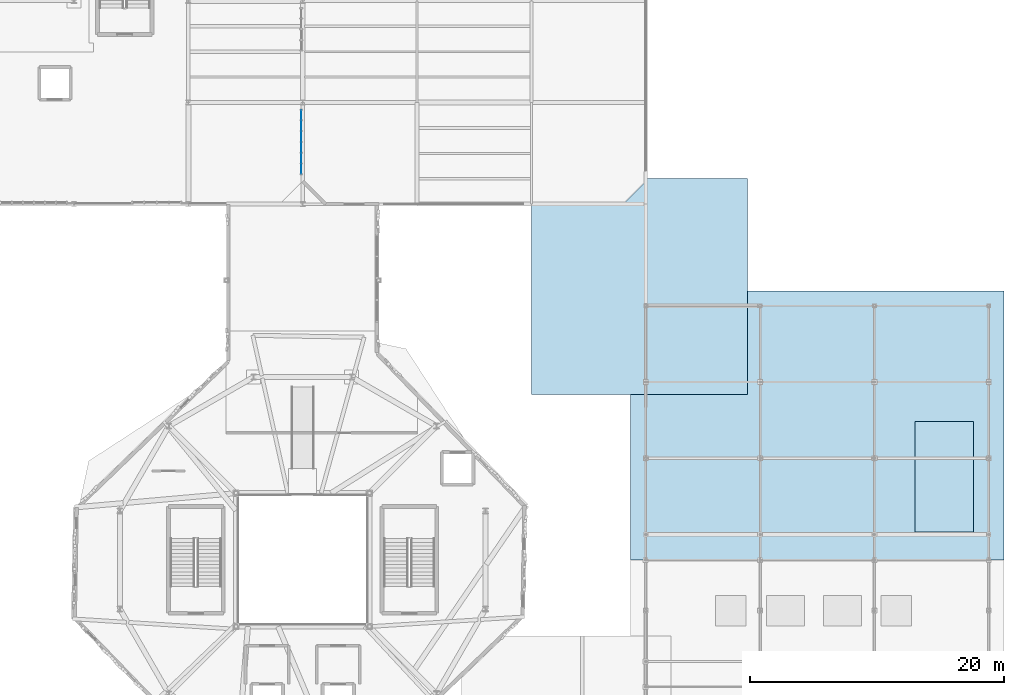
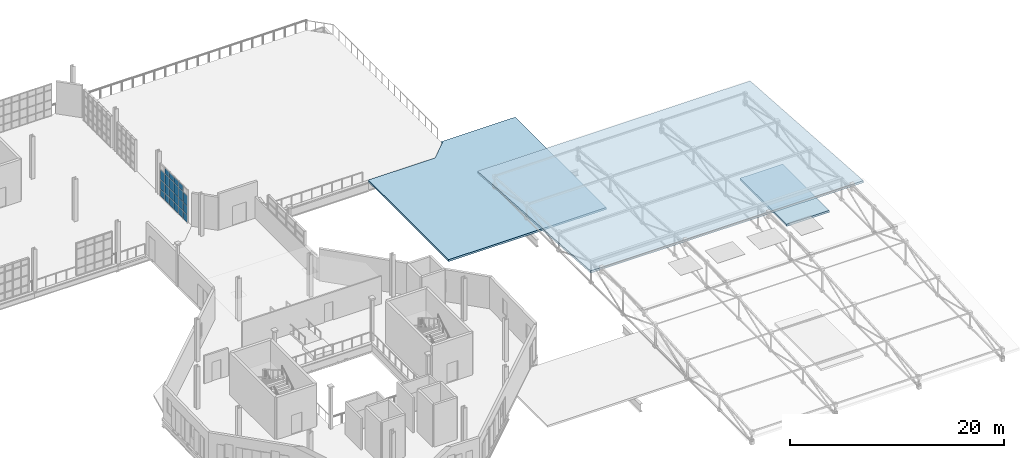
# One storey, part 70 of 85: 22 plates, 3 slabs, 1 element without a shape of its own.
"""IFC4 building model written with IfcOpenShell, lengths in metres."""

from ifc_helpers import new_model, si_unit, direction, frame, origin, origin_2d, place, context, subcontext, project, spatial, polyline, rectangle, outline, extrude, material, layer, layer_set, type_object, element, aggregate, save


model = new_model("IFC4")

# Units and contexts
model_context = context("Model", 3, precision=1e-05, world=origin(), true_north=direction((0.0, 1.0)))
body_context = subcontext(model_context, "Body", "Model", "MODEL_VIEW")
ifc_project = project(units=[si_unit("LENGTHUNIT", "METRE"), si_unit("AREAUNIT", "SQUARE_METRE"), si_unit("VOLUMEUNIT", "CUBIC_METRE"), si_unit("PLANEANGLEUNIT", "RADIAN"), si_unit("MASSUNIT", "GRAM", prefix="KILO"), si_unit("THERMODYNAMICTEMPERATUREUNIT", "KELVIN"), si_unit("POWERUNIT", "WATT")], contexts=[model_context])

# Site, building, storey
site_placement = place(None, origin())
site = spatial("IfcSite", under=ifc_project, at=site_placement, CompositionType="ELEMENT")
building_placement = place(site_placement, origin())
building = spatial("IfcBuilding", under=site, at=building_placement, Name="Zelmaris Science Centre", CompositionType="ELEMENT")
storey_placement = place(building_placement, frame((0.0, 0.0, 20.39990234375)))
storey = spatial("IfcBuildingStorey", under=building, at=storey_placement, Name="L04", CompositionType="ELEMENT", Elevation=20.39990234375)

# Curtain wall, plates
ifc_material_1 = material(Name="Anodised architectural aluminium 6063-T6", Category="aluminium")
ifc_layer_1 = layer(ifc_material_1, 0.219970703125, Name="Anodised architectural aluminium 6063-T6")
ifc_layer_set_1 = layer_set([ifc_layer_1], Name="Anodised architectural aluminium 6063-T6")
curtain_wall_type = type_object("IfcCurtainWallType", Name="Curtain Wall CW-04", PredefinedType="USERDEFINED", material=ifc_layer_set_1)
curtain_wall_placement = place(storey_placement, origin())
curtain_wall = element("IfcCurtainWall", 1, at=curtain_wall_placement, inside=storey, type_object=curtain_wall_type, Name="L04 Unitised curtain wall 348", ObjectType="GLAZED CURTAIN WALL", PredefinedType="USERDEFINED")
ifc_material_2 = material(Name="Laminated hurricane-rated low-E insulated glazing", Category="glass")
ifc_layer_2 = layer(ifc_material_2, 0.02392578125, Name="Laminated hurricane-rated low-E insulated glazing")
ifc_layer_set_2 = layer_set([ifc_layer_2], Name="Laminated hurricane-rated low-E insulated glazing")
plate_type = type_object("IfcPlateType", Name="Curtain Glazing Panel CWP-4 24mm", PredefinedType="CURTAIN_PANEL", material=ifc_layer_set_2)
plate_1_placement = place(storey_placement, frame((80.8916015625, 71.02001953125, 0.037109375), z_axis=(0.0, 0.0, 1.0), x_axis=(0.000780716064, -0.999999695241, 0.0)))
plate_1 = element("IfcPlate", 2, at=plate_1_placement, type_object=plate_type, Name="CW-04 panel 1.1", PredefinedType="CURTAIN_PANEL", context=body_context, shape_type="SweptSolid", body=[
    extrude(rectangle(XDim=0.77587890625, YDim=0.02392578125, at=origin_2d()), origin(), (0.0, 0.0, 1.0), 0.77197265625),
])
plate_2_placement = place(storey_placement, frame((80.8916015625, 71.02001953125, 0.86083984375), z_axis=(0.0, 0.0, 1.0), x_axis=(0.000780716064, -0.999999695241, 0.0)))
plate_2 = element("IfcPlate", 3, at=plate_2_placement, type_object=plate_type, Name="CW-04 panel 1.2", PredefinedType="CURTAIN_PANEL", context=body_context, shape_type="SweptSolid", body=[
    extrude(rectangle(XDim=0.77587890625, YDim=0.02392578125, at=origin_2d()), origin(), (0.0, 0.0, 1.0), 0.986083984375),
])
plate_3_placement = place(storey_placement, frame((80.8916015625, 71.02001953125, 1.89892578125), z_axis=(0.0, 0.0, 1.0), x_axis=(0.000780716064, -0.999999695241, 0.0)))
plate_3 = element("IfcPlate", 4, at=plate_3_placement, type_object=plate_type, Name="CW-04 panel 1.3", PredefinedType="CURTAIN_PANEL", context=body_context, shape_type="SweptSolid", body=[
    extrude(rectangle(XDim=0.77587890625, YDim=0.02392578125, at=origin_2d()), origin(), (0.0, 0.0, 1.0), 1.135986328125),
])
plate_4_placement = place(storey_placement, frame((80.892333984375, 70.178955078125, 0.037109375), z_axis=(0.0, 0.0, 1.0), x_axis=(0.000780716064, -0.999999695241, 0.0)))
plate_4 = element("IfcPlate", 5, at=plate_4_placement, type_object=plate_type, Name="CW-04 panel 2.1", PredefinedType="CURTAIN_PANEL", context=body_context, shape_type="SweptSolid", body=[
    extrude(rectangle(XDim=0.802001953125, YDim=0.02392578125, at=origin_2d()), origin(), (0.0, 0.0, 1.0), 0.77197265625),
])
plate_5_placement = place(storey_placement, frame((80.892333984375, 70.178955078125, 0.86083984375), z_axis=(0.0, 0.0, 1.0), x_axis=(0.000780716064, -0.999999695241, 0.0)))
plate_5 = element("IfcPlate", 6, at=plate_5_placement, type_object=plate_type, Name="CW-04 panel 2.2", PredefinedType="CURTAIN_PANEL", context=body_context, shape_type="SweptSolid", body=[
    extrude(rectangle(XDim=0.802001953125, YDim=0.02392578125, at=origin_2d()), origin(), (0.0, 0.0, 1.0), 0.986083984375),
])
plate_6_placement = place(storey_placement, frame((80.892333984375, 70.178955078125, 1.89892578125), z_axis=(0.0, 0.0, 1.0), x_axis=(0.000780716064, -0.999999695241, 0.0)))
plate_6 = element("IfcPlate", 7, at=plate_6_placement, type_object=plate_type, Name="CW-04 panel 2.3", PredefinedType="CURTAIN_PANEL", context=body_context, shape_type="SweptSolid", body=[
    extrude(rectangle(XDim=0.802001953125, YDim=0.02392578125, at=origin_2d()), origin(), (0.0, 0.0, 1.0), 1.135986328125),
])
plate_7_placement = place(storey_placement, frame((80.892333984375, 70.178955078125, 3.087158203125), z_axis=(0.0, 0.0, 1.0), x_axis=(0.000780716064, -0.999999695241, 0.0)))
plate_7 = element("IfcPlate", 8, at=plate_7_placement, type_object=plate_type, Name="CW-04 panel 2.4", PredefinedType="CURTAIN_PANEL", context=body_context, shape_type="SweptSolid", body=[
    extrude(rectangle(XDim=0.802001953125, YDim=0.02392578125, at=origin_2d()), origin(), (0.0, 0.0, 1.0), 0.6220703125),
])
plate_8_placement = place(storey_placement, frame((80.89306640625, 69.3251953125, 0.037109375), z_axis=(0.0, 0.0, 1.0), x_axis=(0.000780716064, -0.999999695241, 0.0)))
plate_8 = element("IfcPlate", 9, at=plate_8_placement, type_object=plate_type, Name="CW-04 panel 3.1", PredefinedType="CURTAIN_PANEL", context=body_context, shape_type="SweptSolid", body=[
    extrude(rectangle(XDim=0.802001953125, YDim=0.02392578125, at=origin_2d()), origin(), (0.0, 0.0, 1.0), 0.77197265625),
])
plate_9_placement = place(storey_placement, frame((80.89306640625, 69.3251953125, 0.86083984375), z_axis=(0.0, 0.0, 1.0), x_axis=(0.000780716064, -0.999999695241, 0.0)))
plate_9 = element("IfcPlate", 10, at=plate_9_placement, type_object=plate_type, Name="CW-04 panel 3.2", PredefinedType="CURTAIN_PANEL", context=body_context, shape_type="SweptSolid", body=[
    extrude(rectangle(XDim=0.802001953125, YDim=0.02392578125, at=origin_2d()), origin(), (0.0, 0.0, 1.0), 0.986083984375),
])
plate_10_placement = place(storey_placement, frame((80.89306640625, 69.3251953125, 1.89892578125), z_axis=(0.0, 0.0, 1.0), x_axis=(0.000780716064, -0.999999695241, 0.0)))
plate_10 = element("IfcPlate", 11, at=plate_10_placement, type_object=plate_type, Name="CW-04 panel 3.3", PredefinedType="CURTAIN_PANEL", context=body_context, shape_type="SweptSolid", body=[
    extrude(rectangle(XDim=0.802001953125, YDim=0.02392578125, at=origin_2d()), origin(), (0.0, 0.0, 1.0), 1.135986328125),
])
plate_11_placement = place(storey_placement, frame((80.89306640625, 69.3251953125, 3.087158203125), z_axis=(0.0, 0.0, 1.0), x_axis=(0.000780716064, -0.999999695241, 0.0)))
plate_11 = element("IfcPlate", 12, at=plate_11_placement, type_object=plate_type, Name="CW-04 panel 3.4", PredefinedType="CURTAIN_PANEL", context=body_context, shape_type="SweptSolid", body=[
    extrude(rectangle(XDim=0.802001953125, YDim=0.02392578125, at=origin_2d()), origin(), (0.0, 0.0, 1.0), 0.6220703125),
])
plate_12_placement = place(storey_placement, frame((80.8935546875, 68.47119140625, 0.037109375), z_axis=(0.0, 0.0, 1.0), x_axis=(0.000780716064, -0.999999695241, 0.0)))
plate_12 = element("IfcPlate", 13, at=plate_12_placement, type_object=plate_type, Name="CW-04 panel 4.1", PredefinedType="CURTAIN_PANEL", context=body_context, shape_type="SweptSolid", body=[
    extrude(rectangle(XDim=0.802001953125, YDim=0.02392578125, at=origin_2d()), origin(), (0.0, 0.0, 1.0), 0.77197265625),
])
plate_13_placement = place(storey_placement, frame((80.8935546875, 68.47119140625, 0.86083984375), z_axis=(0.0, 0.0, 1.0), x_axis=(0.000780716064, -0.999999695241, 0.0)))
plate_13 = element("IfcPlate", 14, at=plate_13_placement, type_object=plate_type, Name="CW-04 panel 4.2", PredefinedType="CURTAIN_PANEL", context=body_context, shape_type="SweptSolid", body=[
    extrude(rectangle(XDim=0.802001953125, YDim=0.02392578125, at=origin_2d()), origin(), (0.0, 0.0, 1.0), 0.986083984375),
])
plate_14_placement = place(storey_placement, frame((80.8935546875, 68.47119140625, 1.89892578125), z_axis=(0.0, 0.0, 1.0), x_axis=(0.000780716064, -0.999999695241, 0.0)))
plate_14 = element("IfcPlate", 15, at=plate_14_placement, type_object=plate_type, Name="CW-04 panel 4.3", PredefinedType="CURTAIN_PANEL", context=body_context, shape_type="SweptSolid", body=[
    extrude(rectangle(XDim=0.802001953125, YDim=0.02392578125, at=origin_2d()), origin(), (0.0, 0.0, 1.0), 1.135986328125),
])
plate_15_placement = place(storey_placement, frame((80.8935546875, 68.47119140625, 3.087158203125), z_axis=(0.0, 0.0, 1.0), x_axis=(0.000780716064, -0.999999695241, 0.0)))
plate_15 = element("IfcPlate", 16, at=plate_15_placement, type_object=plate_type, Name="CW-04 panel 4.4", PredefinedType="CURTAIN_PANEL", context=body_context, shape_type="SweptSolid", body=[
    extrude(rectangle(XDim=0.802001953125, YDim=0.02392578125, at=origin_2d()), origin(), (0.0, 0.0, 1.0), 0.6220703125),
])
plate_16_placement = place(storey_placement, frame((80.894287109375, 67.6171875, 0.037109375), z_axis=(0.0, 0.0, 1.0), x_axis=(0.000780716064, -0.999999695241, 0.0)))
plate_16 = element("IfcPlate", 17, at=plate_16_placement, type_object=plate_type, Name="CW-04 panel 5.1", PredefinedType="CURTAIN_PANEL", context=body_context, shape_type="SweptSolid", body=[
    extrude(rectangle(XDim=0.802001953125, YDim=0.02392578125, at=origin_2d()), origin(), (0.0, 0.0, 1.0), 0.77197265625),
])
plate_17_placement = place(storey_placement, frame((80.894287109375, 67.6171875, 0.86083984375), z_axis=(0.0, 0.0, 1.0), x_axis=(0.000780716064, -0.999999695241, 0.0)))
plate_17 = element("IfcPlate", 18, at=plate_17_placement, type_object=plate_type, Name="CW-04 panel 5.2", PredefinedType="CURTAIN_PANEL", context=body_context, shape_type="SweptSolid", body=[
    extrude(rectangle(XDim=0.802001953125, YDim=0.02392578125, at=origin_2d()), origin(), (0.0, 0.0, 1.0), 0.986083984375),
])
plate_18_placement = place(storey_placement, frame((80.894287109375, 67.6171875, 1.89892578125), z_axis=(0.0, 0.0, 1.0), x_axis=(0.000780716064, -0.999999695241, 0.0)))
plate_18 = element("IfcPlate", 19, at=plate_18_placement, type_object=plate_type, Name="CW-04 panel 5.3", PredefinedType="CURTAIN_PANEL", context=body_context, shape_type="SweptSolid", body=[
    extrude(rectangle(XDim=0.802001953125, YDim=0.02392578125, at=origin_2d()), origin(), (0.0, 0.0, 1.0), 1.135986328125),
])
plate_19_placement = place(storey_placement, frame((80.894287109375, 67.6171875, 3.087158203125), z_axis=(0.0, 0.0, 1.0), x_axis=(0.000780716064, -0.999999695241, 0.0)))
plate_19 = element("IfcPlate", 20, at=plate_19_placement, type_object=plate_type, Name="CW-04 panel 5.4", PredefinedType="CURTAIN_PANEL", context=body_context, shape_type="SweptSolid", body=[
    extrude(rectangle(XDim=0.802001953125, YDim=0.02392578125, at=origin_2d()), origin(), (0.0, 0.0, 1.0), 0.6220703125),
])
plate_20_placement = place(storey_placement, frame((80.89501953125, 66.7763671875, 0.037109375), z_axis=(0.0, 0.0, 1.0), x_axis=(0.000780716064, -0.999999695241, 0.0)))
plate_20 = element("IfcPlate", 21, at=plate_20_placement, type_object=plate_type, Name="CW-04 panel 6.1", PredefinedType="CURTAIN_PANEL", context=body_context, shape_type="SweptSolid", body=[
    extrude(rectangle(XDim=0.77587890625, YDim=0.02392578125, at=origin_2d()), origin(), (0.0, 0.0, 1.0), 0.77197265625),
])
plate_21_placement = place(storey_placement, frame((80.89501953125, 66.7763671875, 0.86083984375), z_axis=(0.0, 0.0, 1.0), x_axis=(0.000780716064, -0.999999695241, 0.0)))
plate_21 = element("IfcPlate", 22, at=plate_21_placement, type_object=plate_type, Name="CW-04 panel 6.2", PredefinedType="CURTAIN_PANEL", context=body_context, shape_type="SweptSolid", body=[
    extrude(rectangle(XDim=0.77587890625, YDim=0.02392578125, at=origin_2d()), origin(), (0.0, 0.0, 1.0), 0.986083984375),
])
plate_22_placement = place(storey_placement, frame((80.89501953125, 66.7763671875, 1.89892578125), z_axis=(0.0, 0.0, 1.0), x_axis=(0.000780716064, -0.999999695241, 0.0)))
plate_22 = element("IfcPlate", 23, at=plate_22_placement, type_object=plate_type, Name="CW-04 panel 6.3", PredefinedType="CURTAIN_PANEL", context=body_context, shape_type="SweptSolid", body=[
    extrude(rectangle(XDim=0.77587890625, YDim=0.02392578125, at=origin_2d()), origin(), (0.0, 0.0, 1.0), 1.135986328125),
])
aggregate(curtain_wall, [plate_1, plate_2, plate_3, plate_4, plate_5, plate_6, plate_7, plate_8, plate_9, plate_10, plate_11, plate_12, plate_13, plate_14, plate_15, plate_16, plate_17, plate_18, plate_19, plate_20, plate_21, plate_22])

# Slabs
ifc_material_3 = material(Name="Concrete C35/45", Category="concrete")
ifc_layer_3 = layer(ifc_material_3, 0.219970703125, Name="Concrete C35/45")
ifc_layer_set_3 = layer_set([ifc_layer_3], Name="Concrete C35/45")
slab_type_1 = type_object("IfcSlabType", Name="Slab SL-RF220 220mm", PredefinedType="ROOF", material=ifc_layer_set_3)
slab_1_placement = place(storey_placement, frame((0.0, 0.0, -0.219970703125)))
element("IfcSlab", 24, at=slab_1_placement, inside=storey, type_object=slab_type_1, Name="L04 East peristyle link roof slab part 2", PredefinedType="ROOF", context=body_context, shape_type="SweptSolid", body=[
    extrude(outline(polyline([(116.0, 66.0), (116.0, 49.0), (99.0, 49.0), (99.0, 63.989990234375), (106.201904296875, 63.990234375), (108.0078125, 65.793701171875), (108.010009765625, 66.0), (116.0, 66.0)])), origin(), (0.0, 0.0, 1.0), 0.219970703125),
])
ifc_layer_4 = layer(ifc_material_3, 0.239990234375, Name="Concrete C35/45")
ifc_layer_set_4 = layer_set([ifc_layer_4], Name="Concrete C35/45")
slab_type_2 = type_object("IfcSlabType", Name="Slab SL-RF240 240mm", PredefinedType="ROOF", material=ifc_layer_set_4)
slab_2_placement = place(storey_placement, frame((106.800048828125, 36.0, 3.875), z_axis=(0.0, 0.06859024724, 0.997644915781), x_axis=(1.0, 0.0, 0.0)))
element("IfcSlab", 25, at=slab_2_placement, inside=storey, type_object=slab_type_2, Name="RF-V4 Hurricane pitched roof slab N", PredefinedType="ROOF", context=body_context, shape_type="SweptSolid", body=[
    extrude(outline(polyline([(0.0, 0.0), (29.39990234375, 0.0), (29.39990234375, 21.199829728189485), (0.0, 21.199829728189485), (0.0, 0.0)])), origin(), (0.0, 0.0, -1.0), 0.239990234375),
])
slab_3_placement = place(storey_placement, frame((0.0, 0.0, -0.239990234375)))
element("IfcSlab", 26, at=slab_3_placement, inside=storey, type_object=slab_type_2, Name="ST-5 Stair shaft headhouse roof slab", PredefinedType="ROOF", context=body_context, shape_type="SweptSolid", body=[
    extrude(outline(polyline([(129.199951171875, 38.199951171875), (129.199951171875, 46.89990234375), (133.800048828125, 46.89990234375), (133.800048828125, 38.199951171875), (129.199951171875, 38.199951171875)])), origin(), (0.0, 0.0, 1.0), 0.239990234375),
])

save(model, "model.ifc")
